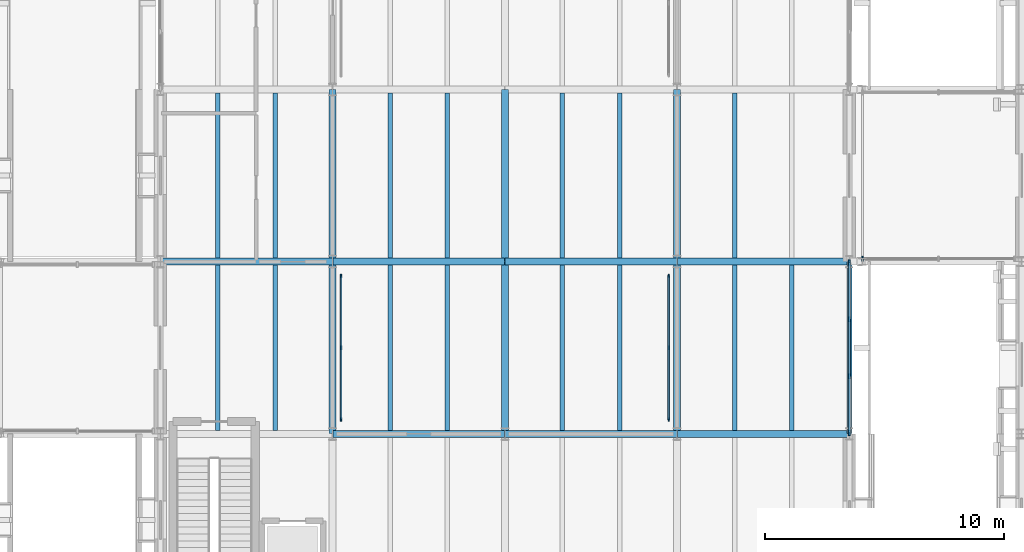
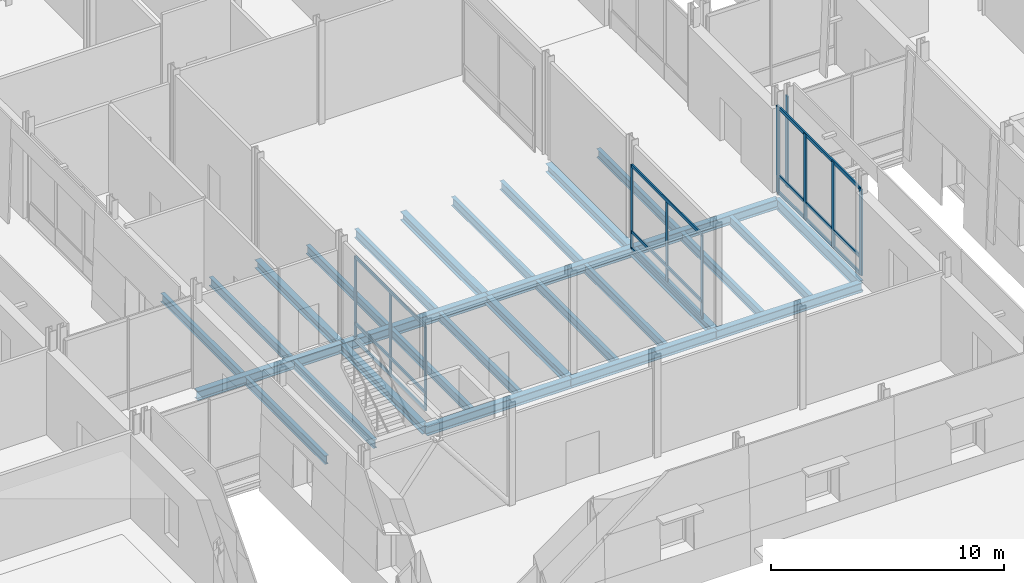
# One storey, part 27 of 120: 29 beams, 20 members, 4 elements without a shape of their own.
"""IFC4 building model written with IfcOpenShell, lengths in metres."""

from ifc_helpers import new_model, si_unit, direction, frame, origin, origin_2d, place, context, subcontext, project, spatial, rectangle, i_section, extrude, material, layer, layer_set, material_profile, profile_set, type_object, element, aggregate, save


model = new_model("IFC4")

# Units and contexts
model_context = context("Model", 3, precision=1e-05, world=origin(), true_north=direction((0.0, 1.0)))
body_context = subcontext(model_context, "Body", "Model", "MODEL_VIEW")
ifc_project = project(units=[si_unit("LENGTHUNIT", "METRE"), si_unit("AREAUNIT", "SQUARE_METRE"), si_unit("VOLUMEUNIT", "CUBIC_METRE"), si_unit("PLANEANGLEUNIT", "RADIAN"), si_unit("MASSUNIT", "GRAM", prefix="KILO")], contexts=[model_context])

# Site, building, storey
site_placement = place(None, origin())
site = spatial("IfcSite", under=ifc_project, at=site_placement, CompositionType="ELEMENT")
building_placement = place(site_placement, origin())
building = spatial("IfcBuilding", under=site, at=building_placement, Name="Narikvali Park Central Library", CompositionType="ELEMENT")
storey_placement = place(building_placement, origin())
storey = spatial("IfcBuildingStorey", under=building, at=storey_placement, Name="L00", CompositionType="ELEMENT", Elevation=0.0)

# Beams
ifc_material_1 = material(Name="Steel S355", Category="steel")
ifc_material_profile_1 = material_profile(ifc_material_1, i_section(OverallWidth=0.18994140625, OverallDepth=0.449951171875, WebThickness=0.009521484375, FlangeThickness=0.0146484375, FilletRadius=0.02099609375, at=origin_2d()), Name="IPE 450")
ifc_profile_set_1 = profile_set([ifc_material_profile_1], Name="Steel S355")
beam_type_1 = type_object("IfcBeamType", Name="Composite Floor Joist IPE450", PredefinedType="JOIST", material=ifc_profile_set_1)
for number, where, z_axis, x_axis, name in (
    (1, (31.199951171875, 64.949951171875, -0.544921875), (0.0, 1.0, 0.0), (-1.0, 0.0, 0.0), "V4 L00 Composite Joist 1"),
    (2, (33.60009765625, 64.949951171875, -0.544921875), (0.0, 1.0, 0.0), (-1.0, 0.0, 0.0), "V4 L00 Composite Joist 2"),
    (3, (31.199951171875, 72.14990234375, -0.544921875), (0.0, 1.0, 0.0), (-1.0, 0.0, 0.0), "V4 L00 Composite Joist 1"),
    (4, (33.60009765625, 72.14990234375, -0.544921875), (0.0, 1.0, 0.0), (-1.0, 0.0, 0.0), "V4 L00 Composite Joist 2"),
    (5, (38.39990234375, 64.949951171875, -0.544921875), (0.0, 1.0, 0.0), (-1.0, 0.0, 0.0), "V4 L00 Composite Joist 1"),
    (6, (40.800048828125, 64.949951171875, -0.544921875), (0.0, 1.0, 0.0), (-1.0, 0.0, 0.0), "V4 L00 Composite Joist 2"),
    (7, (38.39990234375, 72.14990234375, -0.544921875), (0.0, 1.0, 0.0), (-1.0, 0.0, 0.0), "V4 L00 Composite Joist 1"),
    (8, (40.800048828125, 72.14990234375, -0.544921875), (0.0, 1.0, 0.0), (-1.0, 0.0, 0.0), "V4 L00 Composite Joist 2"),
    (9, (45.60009765625, 64.949951171875, -0.544921875), (0.0, 1.0, 0.0), (-1.0, 0.0, 0.0), "V4 L00 Composite Joist 1"),
    (10, (48.0, 64.949951171875, -0.544921875), (0.0, 1.0, 0.0), (-1.0, 0.0, 0.0), "V4 L00 Composite Joist 2"),
    (11, (45.60009765625, 72.14990234375, -0.544921875), (0.0, 1.0, 0.0), (-1.0, 0.0, 0.0), "V4 L00 Composite Joist 1"),
    (12, (48.0, 72.14990234375, -0.544921875), (0.0, 1.0, 0.0), (-1.0, 0.0, 0.0), "V4 L00 Composite Joist 2"),
    (13, (52.800048828125, 64.949951171875, -0.544921875), (0.0, 1.0, 0.0), (-1.0, 0.0, 0.0), "V4 L00 Composite Joist 1"),
    (14, (55.199951171875, 64.949951171875, -0.544921875), (0.0, 1.0, 0.0), (-1.0, 0.0, 0.0), "V4 L00 Composite Joist 2"),
    (15, (52.800048828125, 72.14990234375, -0.544921875), (0.0, 1.0, 0.0), (-1.0, 0.0, 0.0), "V4 L00 Composite Joist 1"),
):
    element("IfcBeam", number, at=place(storey_placement, frame(where, z_axis=z_axis, x_axis=x_axis)), inside=storey, type_object=beam_type_1, Name=name, PredefinedType="JOIST", context=body_context, shape_type="SweptSolid", body=[
        extrude(i_section(OverallWidth=0.18994140625, OverallDepth=0.449951171875, WebThickness=0.009521484375, FlangeThickness=0.0146484375, FilletRadius=0.02099609375, at=origin_2d()), origin(), (0.0, 0.0, 1.0), 6.900146484375),
    ])

# Curtain wall, members
ifc_material_2 = material(Name="Anodised Bronze Aluminium", Category="aluminium")
ifc_layer_1 = layer(ifc_material_2, 0.219970703125, Name="Anodised Bronze Aluminium")
ifc_layer_set_1 = layer_set([ifc_layer_1], Name="Anodised Bronze Aluminium")
curtain_wall_type_1 = type_object("IfcCurtainWallType", Name="Atrium Tall Curtain Wall System", PredefinedType="NOTDEFINED", material=ifc_layer_set_1)
curtain_wall_1_placement = place(storey_placement, origin())
curtain_wall_1 = element("IfcCurtainWall", 16, at=curtain_wall_1_placement, inside=storey, type_object=curtain_wall_type_1, Name="Atrium Tall Curtain Wall System CW-V4-L00-E-03", PredefinedType="NOTDEFINED")
ifc_material_profile_2 = material_profile(ifc_material_2, rectangle(XDim=0.074951171875, YDim=0.219970703125, at=origin_2d()), Name="CW MULLION 75x220")
ifc_profile_set_2 = profile_set([ifc_material_profile_2], Name="Anodised Bronze Aluminium")
member_type_1 = type_object("IfcMemberType", Name="Curtain Wall Heavy Mullion 75x220", PredefinedType="MULLION", material=ifc_profile_set_2)
member_1_placement = place(storey_placement, frame((57.60009765625, 64.837890625, -0.010009765625), z_axis=(0.0, 0.0, 1.0), x_axis=(1.0, 0.0, 0.0)))
member_1 = element("IfcMember", 17, at=member_1_placement, type_object=member_type_1, Name="CW-V4-L00-E-03 Mullion 00", PredefinedType="MULLION", context=body_context, shape_type="SweptSolid", body=[
    extrude(rectangle(XDim=0.074951171875, YDim=0.219970703125, at=origin_2d()), origin(), (0.0, 0.0, 1.0), 4.510009765625),
])
member_2_placement = place(storey_placement, frame((57.60009765625, 67.212646484375, -0.010009765625), z_axis=(0.0, 0.0, 1.0), x_axis=(1.0, 0.0, 0.0)))
member_2 = element("IfcMember", 18, at=member_2_placement, type_object=member_type_1, Name="CW-V4-L00-E-03 Mullion 01", PredefinedType="MULLION", context=body_context, shape_type="SweptSolid", body=[
    extrude(rectangle(XDim=0.074951171875, YDim=0.219970703125, at=origin_2d()), origin(), (0.0, 0.0, 1.0), 4.510009765625),
])
member_3_placement = place(storey_placement, frame((57.60009765625, 69.58740234375, -0.010009765625), z_axis=(0.0, 0.0, 1.0), x_axis=(1.0, 0.0, 0.0)))
member_3 = element("IfcMember", 19, at=member_3_placement, type_object=member_type_1, Name="CW-V4-L00-E-03 Mullion 02", PredefinedType="MULLION", context=body_context, shape_type="SweptSolid", body=[
    extrude(rectangle(XDim=0.074951171875, YDim=0.219970703125, at=origin_2d()), origin(), (0.0, 0.0, 1.0), 4.510009765625),
])
member_4_placement = place(storey_placement, frame((57.60009765625, 71.9619140625, -0.010009765625), z_axis=(0.0, 0.0, 1.0), x_axis=(1.0, 0.0, 0.0)))
member_4 = element("IfcMember", 20, at=member_4_placement, type_object=member_type_1, Name="CW-V4-L00-E-03 Mullion 03", PredefinedType="MULLION", context=body_context, shape_type="SweptSolid", body=[
    extrude(rectangle(XDim=0.074951171875, YDim=0.219970703125, at=origin_2d()), origin(), (0.0, 0.0, 1.0), 4.510009765625),
])

# Curtain wall, member
ifc_layer_2 = layer(ifc_material_2, 0.219970703125, Name="Anodised Bronze Aluminium")
ifc_layer_set_2 = layer_set([ifc_layer_2], Name="Anodised Bronze Aluminium")
curtain_wall_type_2 = type_object("IfcCurtainWallType", Name="Bridge Covered Passage Glazing System", PredefinedType="NOTDEFINED", material=ifc_layer_set_2)
curtain_wall_2_placement = place(storey_placement, origin())
curtain_wall_2 = element("IfcCurtainWall", 21, at=curtain_wall_2_placement, inside=storey, type_object=curtain_wall_type_2, Name="Bridge Covered Passage Glazing System CW-BRG-2-L00-S1", PredefinedType="NOTDEFINED")
member_5_placement = place(storey_placement, frame((58.14990234375, 72.1201171875, -0.010009765625), z_axis=(0.0, 0.0, 1.0), x_axis=(1.0, 0.0, 0.0)))
member_5 = element("IfcMember", 22, at=member_5_placement, type_object=member_type_1, Name="CW-BRG-2-L00-S1 Mullion 00", PredefinedType="MULLION", context=body_context, shape_type="SweptSolid", body=[
    extrude(rectangle(XDim=0.074951171875, YDim=0.219970703125, at=origin_2d()), origin(), (0.0, 0.0, 1.0), 4.760009765625),
])
aggregate(curtain_wall_2, [member_5])

# Member
ifc_material_profile_3 = material_profile(ifc_material_2, rectangle(XDim=0.074951171875, YDim=0.179931640625, at=origin_2d()), Name="CW TRANSOM 75x180")
ifc_profile_set_3 = profile_set([ifc_material_profile_3], Name="Anodised Bronze Aluminium")
member_type_2 = type_object("IfcMemberType", Name="Curtain Wall Heavy Transom 75x180", PredefinedType="USERDEFINED", material=ifc_profile_set_3)
member_6_placement = place(storey_placement, frame((57.60009765625, 64.837890625, 0.030029296875), z_axis=(0.0, 1.0, 0.0), x_axis=(-1.0, 0.0, 0.0)))
member_6 = element("IfcMember", 23, at=member_6_placement, type_object=member_type_2, Name="CW-V4-L00-E-03 Transom 00", ObjectType="TRANSOM", PredefinedType="USERDEFINED", context=body_context, shape_type="SweptSolid", body=[
    extrude(rectangle(XDim=0.074951171875, YDim=0.179931640625, at=origin_2d()), origin(), (0.0, 0.0, 1.0), 7.1240234375),
])

member_7_placement = place(storey_placement, frame((57.60009765625, 64.837890625, 0.89990234375), z_axis=(0.0, 1.0, 0.0), x_axis=(-1.0, 0.0, 0.0)))
member_7 = element("IfcMember", 24, at=member_7_placement, type_object=member_type_2, Name="CW-V4-L00-E-03 Transom 01", ObjectType="TRANSOM", PredefinedType="USERDEFINED", context=body_context, shape_type="SweptSolid", body=[
    extrude(rectangle(XDim=0.074951171875, YDim=0.179931640625, at=origin_2d()), origin(), (0.0, 0.0, 1.0), 7.1240234375),
])

member_8_placement = place(storey_placement, frame((57.60009765625, 64.837890625, 4.469970703125), z_axis=(0.0, 1.0, 0.0), x_axis=(-1.0, 0.0, 0.0)))
member_8 = element("IfcMember", 25, at=member_8_placement, type_object=member_type_2, Name="CW-V4-L00-E-03 Transom 02", ObjectType="TRANSOM", PredefinedType="USERDEFINED", context=body_context, shape_type="SweptSolid", body=[
    extrude(rectangle(XDim=0.074951171875, YDim=0.179931640625, at=origin_2d()), origin(), (0.0, 0.0, 1.0), 7.1240234375),
])

aggregate(curtain_wall_1, [member_1, member_2, member_3, member_4, member_6, member_7, member_8])

# Curtain wall, members
curtain_wall_3_placement = place(storey_placement, origin())
curtain_wall_3 = element("IfcCurtainWall", 26, at=curtain_wall_3_placement, inside=storey, type_object=curtain_wall_type_1, Name="Atrium Tall Curtain Wall System CW-GAL-V4-L00-ATR-W1", PredefinedType="NOTDEFINED")
ifc_material_profile_4 = material_profile(ifc_material_2, rectangle(XDim=0.06005859375, YDim=0.14990234375, at=origin_2d()), Name="CW MULLION 60x150")
ifc_profile_set_4 = profile_set([ifc_material_profile_4], Name="Anodised Bronze Aluminium")
member_type_3 = type_object("IfcMemberType", Name="Curtain Wall Mullion 60x150", PredefinedType="MULLION", material=ifc_profile_set_4)
member_9_placement = place(storey_placement, frame((36.35009765625, 65.39990234375, -0.010009765625), z_axis=(0.0, 0.0, 1.0), x_axis=(1.0, 0.0, 0.0)))
member_9 = element("IfcMember", 27, at=member_9_placement, type_object=member_type_3, Name="CW-GAL-V4-L00-ATR-W1 Mullion 00", PredefinedType="MULLION", context=body_context, shape_type="SweptSolid", body=[
    extrude(rectangle(XDim=0.06005859375, YDim=0.14990234375, at=origin_2d()), origin(), (0.0, 0.0, 1.0), 4.409912109375),
])
member_10_placement = place(storey_placement, frame((36.35009765625, 68.39990234375, -0.010009765625), z_axis=(0.0, 0.0, 1.0), x_axis=(1.0, 0.0, 0.0)))
member_10 = element("IfcMember", 28, at=member_10_placement, type_object=member_type_3, Name="CW-GAL-V4-L00-ATR-W1 Mullion 01", PredefinedType="MULLION", context=body_context, shape_type="SweptSolid", body=[
    extrude(rectangle(XDim=0.06005859375, YDim=0.14990234375, at=origin_2d()), origin(), (0.0, 0.0, 1.0), 4.409912109375),
])
member_11_placement = place(storey_placement, frame((36.35009765625, 71.39990234375, -0.010009765625), z_axis=(0.0, 0.0, 1.0), x_axis=(1.0, 0.0, 0.0)))
member_11 = element("IfcMember", 29, at=member_11_placement, type_object=member_type_3, Name="CW-GAL-V4-L00-ATR-W1 Mullion 02", PredefinedType="MULLION", context=body_context, shape_type="SweptSolid", body=[
    extrude(rectangle(XDim=0.06005859375, YDim=0.14990234375, at=origin_2d()), origin(), (0.0, 0.0, 1.0), 4.409912109375),
])

curtain_wall_4_placement = place(storey_placement, origin())
curtain_wall_4 = element("IfcCurtainWall", 30, at=curtain_wall_4_placement, inside=storey, type_object=curtain_wall_type_1, Name="Atrium Tall Curtain Wall System CW-GAL-V4-L00-ATR-E1", PredefinedType="NOTDEFINED")
member_12_placement = place(storey_placement, frame((50.050048828125, 65.39990234375, -0.010009765625), z_axis=(0.0, 0.0, 1.0), x_axis=(1.0, 0.0, 0.0)))
member_12 = element("IfcMember", 31, at=member_12_placement, type_object=member_type_3, Name="CW-GAL-V4-L00-ATR-E1 Mullion 00", PredefinedType="MULLION", context=body_context, shape_type="SweptSolid", body=[
    extrude(rectangle(XDim=0.06005859375, YDim=0.14990234375, at=origin_2d()), origin(), (0.0, 0.0, 1.0), 4.409912109375),
])
member_13_placement = place(storey_placement, frame((50.050048828125, 68.39990234375, -0.010009765625), z_axis=(0.0, 0.0, 1.0), x_axis=(1.0, 0.0, 0.0)))
member_13 = element("IfcMember", 32, at=member_13_placement, type_object=member_type_3, Name="CW-GAL-V4-L00-ATR-E1 Mullion 01", PredefinedType="MULLION", context=body_context, shape_type="SweptSolid", body=[
    extrude(rectangle(XDim=0.06005859375, YDim=0.14990234375, at=origin_2d()), origin(), (0.0, 0.0, 1.0), 4.409912109375),
])
member_14_placement = place(storey_placement, frame((50.050048828125, 71.39990234375, -0.010009765625), z_axis=(0.0, 0.0, 1.0), x_axis=(1.0, 0.0, 0.0)))
member_14 = element("IfcMember", 33, at=member_14_placement, type_object=member_type_3, Name="CW-GAL-V4-L00-ATR-E1 Mullion 02", PredefinedType="MULLION", context=body_context, shape_type="SweptSolid", body=[
    extrude(rectangle(XDim=0.06005859375, YDim=0.14990234375, at=origin_2d()), origin(), (0.0, 0.0, 1.0), 4.409912109375),
])

# Member
ifc_material_profile_5 = material_profile(ifc_material_2, rectangle(XDim=0.070068359375, YDim=0.159912109375, at=origin_2d()), Name="CW TRANSOM 70x160")
ifc_profile_set_5 = profile_set([ifc_material_profile_5], Name="Anodised Bronze Aluminium")
member_type_4 = type_object("IfcMemberType", Name="Curtain Wall Transom 70x160", PredefinedType="USERDEFINED", material=ifc_profile_set_5)
member_15_placement = place(storey_placement, frame((36.35009765625, 65.39990234375, 0.030029296875), z_axis=(0.0, 1.0, 0.0), x_axis=(-1.0, 0.0, 0.0)))
member_15 = element("IfcMember", 34, at=member_15_placement, type_object=member_type_4, Name="CW-GAL-V4-L00-ATR-W1 Transom 00", ObjectType="TRANSOM", PredefinedType="USERDEFINED", context=body_context, shape_type="SweptSolid", body=[
    extrude(rectangle(XDim=0.070068359375, YDim=0.159912109375, at=origin_2d()), origin(), (0.0, 0.0, 1.0), 6.0),
])

member_16_placement = place(storey_placement, frame((36.35009765625, 65.39990234375, 0.89990234375), z_axis=(0.0, 1.0, 0.0), x_axis=(-1.0, 0.0, 0.0)))
member_16 = element("IfcMember", 35, at=member_16_placement, type_object=member_type_4, Name="CW-GAL-V4-L00-ATR-W1 Transom 01", ObjectType="TRANSOM", PredefinedType="USERDEFINED", context=body_context, shape_type="SweptSolid", body=[
    extrude(rectangle(XDim=0.070068359375, YDim=0.159912109375, at=origin_2d()), origin(), (0.0, 0.0, 1.0), 6.0),
])

member_17_placement = place(storey_placement, frame((36.35009765625, 65.39990234375, 4.3701171875), z_axis=(0.0, 1.0, 0.0), x_axis=(-1.0, 0.0, 0.0)))
member_17 = element("IfcMember", 36, at=member_17_placement, type_object=member_type_4, Name="CW-GAL-V4-L00-ATR-W1 Transom 02", ObjectType="TRANSOM", PredefinedType="USERDEFINED", context=body_context, shape_type="SweptSolid", body=[
    extrude(rectangle(XDim=0.070068359375, YDim=0.159912109375, at=origin_2d()), origin(), (0.0, 0.0, 1.0), 6.0),
])

aggregate(curtain_wall_3, [member_9, member_10, member_11, member_15, member_16, member_17])

member_18_placement = place(storey_placement, frame((50.050048828125, 65.39990234375, 0.030029296875), z_axis=(0.0, 1.0, 0.0), x_axis=(-1.0, 0.0, 0.0)))
member_18 = element("IfcMember", 37, at=member_18_placement, type_object=member_type_4, Name="CW-GAL-V4-L00-ATR-E1 Transom 00", ObjectType="TRANSOM", PredefinedType="USERDEFINED", context=body_context, shape_type="SweptSolid", body=[
    extrude(rectangle(XDim=0.070068359375, YDim=0.159912109375, at=origin_2d()), origin(), (0.0, 0.0, 1.0), 6.0),
])

member_19_placement = place(storey_placement, frame((50.050048828125, 65.39990234375, 0.89990234375), z_axis=(0.0, 1.0, 0.0), x_axis=(-1.0, 0.0, 0.0)))
member_19 = element("IfcMember", 38, at=member_19_placement, type_object=member_type_4, Name="CW-GAL-V4-L00-ATR-E1 Transom 01", ObjectType="TRANSOM", PredefinedType="USERDEFINED", context=body_context, shape_type="SweptSolid", body=[
    extrude(rectangle(XDim=0.070068359375, YDim=0.159912109375, at=origin_2d()), origin(), (0.0, 0.0, 1.0), 6.0),
])

member_20_placement = place(storey_placement, frame((50.050048828125, 65.39990234375, 4.3701171875), z_axis=(0.0, 1.0, 0.0), x_axis=(-1.0, 0.0, 0.0)))
member_20 = element("IfcMember", 39, at=member_20_placement, type_object=member_type_4, Name="CW-GAL-V4-L00-ATR-E1 Transom 02", ObjectType="TRANSOM", PredefinedType="USERDEFINED", context=body_context, shape_type="SweptSolid", body=[
    extrude(rectangle(XDim=0.070068359375, YDim=0.159912109375, at=origin_2d()), origin(), (0.0, 0.0, 1.0), 6.0),
])

aggregate(curtain_wall_4, [member_12, member_13, member_14, member_18, member_19, member_20])

# Beams
ifc_material_profile_6 = material_profile(ifc_material_1, i_section(OverallWidth=0.2099609375, OverallDepth=0.550048828125, WebThickness=0.010986328125, FlangeThickness=0.01708984375, FilletRadius=0.02392578125, at=origin_2d()), Name="IPE 550")
ifc_profile_set_6 = profile_set([ifc_material_profile_6], Name="Steel S355")
beam_type_2 = type_object("IfcBeamType", Name="Perimeter Spandrel IPE550", PredefinedType="SPANDREL", material=ifc_profile_set_6)
beam_1_placement = place(storey_placement, frame((57.60009765625, 64.80810546875, -0.594970703125), z_axis=(0.0, 1.0, 0.0), x_axis=(-1.0, 0.0, 0.0)))
element("IfcBeam", 40, at=beam_1_placement, inside=storey, type_object=beam_type_2, Name="V4 L00 Girder Y", PredefinedType="SPANDREL", context=body_context, shape_type="SweptSolid", body=[
    extrude(i_section(OverallWidth=0.2099609375, OverallDepth=0.550048828125, WebThickness=0.010986328125, FlangeThickness=0.01708984375, FilletRadius=0.02392578125, at=origin_2d()), origin(), (0.0, 0.0, 1.0), 7.183837890625),
])
ifc_material_profile_7 = material_profile(ifc_material_1, i_section(OverallWidth=0.300048828125, OverallDepth=0.43994140625, WebThickness=0.011474609375, FlangeThickness=0.02099609375, FilletRadius=0.027099609375, at=origin_2d()), Name="HEA 450")
ifc_profile_set_7 = profile_set([ifc_material_profile_7], Name="Steel S355")
beam_type_3 = type_object("IfcBeamType", Name="Primary Girder HEA450", PredefinedType="BEAM", material=ifc_profile_set_7)
for number, where, z_axis, x_axis, name in (
    (41, (36.0, 64.80810546875, -0.5400390625), (0.0, 1.0, 0.0), (-1.0, 0.0, 0.0), "V4 L00 Girder Y"),
    (42, (36.0, 72.008056640625, -0.5400390625), (0.0, 1.0, 0.0), (-1.0, 0.0, 0.0), "V4 L00 Girder Y"),
    (43, (43.199951171875, 64.80810546875, -0.5400390625), (0.0, 1.0, 0.0), (-1.0, 0.0, 0.0), "V4 L00 Girder Y"),
    (44, (43.199951171875, 72.008056640625, -0.5400390625), (0.0, 1.0, 0.0), (-1.0, 0.0, 0.0), "V4 L00 Girder Y"),
    (45, (50.39990234375, 64.80810546875, -0.5400390625), (0.0, 1.0, 0.0), (-1.0, 0.0, 0.0), "V4 L00 Girder Y"),
    (46, (50.39990234375, 72.008056640625, -0.5400390625), (0.0, 1.0, 0.0), (-1.0, 0.0, 0.0), "V4 L00 Girder Y"),
):
    element("IfcBeam", number, at=place(storey_placement, frame(where, z_axis=z_axis, x_axis=x_axis)), inside=storey, type_object=beam_type_3, Name=name, PredefinedType="BEAM", context=body_context, shape_type="SweptSolid", body=[
        extrude(i_section(OverallWidth=0.300048828125, OverallDepth=0.43994140625, WebThickness=0.011474609375, FlangeThickness=0.02099609375, FilletRadius=0.027099609375, at=origin_2d()), origin(), (0.0, 0.0, 1.0), 7.183837890625),
    ])
ifc_material_profile_8 = material_profile(ifc_material_1, i_section(OverallWidth=0.300048828125, OverallDepth=0.489990234375, WebThickness=0.011962890625, FlangeThickness=0.02294921875, FilletRadius=0.027099609375, at=origin_2d()), Name="HEA 500")
ifc_profile_set_8 = profile_set([ifc_material_profile_8], Name="Steel S355")
beam_type_4 = type_object("IfcBeamType", Name="Primary Girder HEA500", PredefinedType="BEAM", material=ifc_profile_set_8)
beam_2_placement = place(storey_placement, frame((36.008056640625, 64.800048828125, -0.56494140625), z_axis=(1.0, 0.0, 0.0), x_axis=(0.0, 1.0, 0.0)))
element("IfcBeam", 47, at=beam_2_placement, inside=storey, type_object=beam_type_4, Name="V4 L00 Girder X", PredefinedType="BEAM", context=body_context, shape_type="SweptSolid", body=[
    extrude(i_section(OverallWidth=0.300048828125, OverallDepth=0.489990234375, WebThickness=0.011962890625, FlangeThickness=0.02294921875, FilletRadius=0.027099609375, at=origin_2d()), origin(), (0.0, 0.0, 1.0), 7.183837890625),
])
for number, where, z_axis, x_axis, name in (
    (48, (43.2080078125, 64.800048828125, -0.56494140625), (1.0, 0.0, 0.0), (0.0, 1.0, 0.0), "V4 L00 Girder X"),
    (49, (50.407958984375, 64.800048828125, -0.56494140625), (1.0, 0.0, 0.0), (0.0, 1.0, 0.0), "V4 L00 Girder X"),
):
    element("IfcBeam", number, at=place(storey_placement, frame(where, z_axis=z_axis, x_axis=x_axis)), inside=storey, type_object=beam_type_4, Name=name, PredefinedType="BEAM", context=body_context, shape_type="SweptSolid", body=[
        extrude(i_section(OverallWidth=0.300048828125, OverallDepth=0.489990234375, WebThickness=0.011962890625, FlangeThickness=0.02294921875, FilletRadius=0.027099609375, at=origin_2d()), origin(), (0.0, 0.0, 1.0), 7.18408203125),
    ])
for number, where, z_axis, x_axis, name in (
    (50, (28.80810546875, 72.0, -0.56494140625), (1.0, 0.0, 0.0), (0.0, 1.0, 0.0), "V4 L00 Girder X"),
    (51, (36.008056640625, 72.0, -0.56494140625), (1.0, 0.0, 0.0), (0.0, 1.0, 0.0), "V4 L00 Girder X"),
):
    element("IfcBeam", number, at=place(storey_placement, frame(where, z_axis=z_axis, x_axis=x_axis)), inside=storey, type_object=beam_type_4, Name=name, PredefinedType="BEAM", context=body_context, shape_type="SweptSolid", body=[
        extrude(i_section(OverallWidth=0.300048828125, OverallDepth=0.489990234375, WebThickness=0.011962890625, FlangeThickness=0.02294921875, FilletRadius=0.027099609375, at=origin_2d()), origin(), (0.0, 0.0, 1.0), 7.183837890625),
    ])
for number, where, z_axis, x_axis, name in (
    (52, (43.2080078125, 72.0, -0.56494140625), (1.0, 0.0, 0.0), (0.0, 1.0, 0.0), "V4 L00 Girder X"),
    (53, (50.407958984375, 72.0, -0.56494140625), (1.0, 0.0, 0.0), (0.0, 1.0, 0.0), "V4 L00 Girder X"),
):
    element("IfcBeam", number, at=place(storey_placement, frame(where, z_axis=z_axis, x_axis=x_axis)), inside=storey, type_object=beam_type_4, Name=name, PredefinedType="BEAM", context=body_context, shape_type="SweptSolid", body=[
        extrude(i_section(OverallWidth=0.300048828125, OverallDepth=0.489990234375, WebThickness=0.011962890625, FlangeThickness=0.02294921875, FilletRadius=0.027099609375, at=origin_2d()), origin(), (0.0, 0.0, 1.0), 7.18408203125),
    ])

save(model, "model.ifc")
